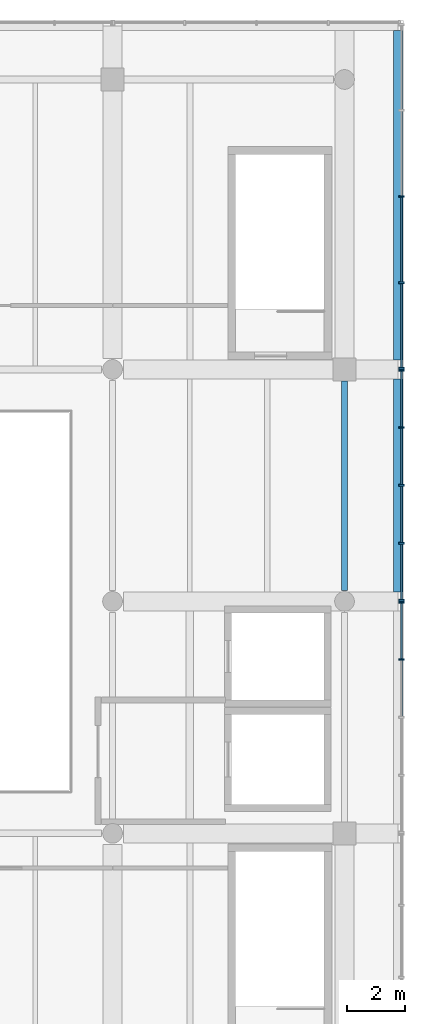
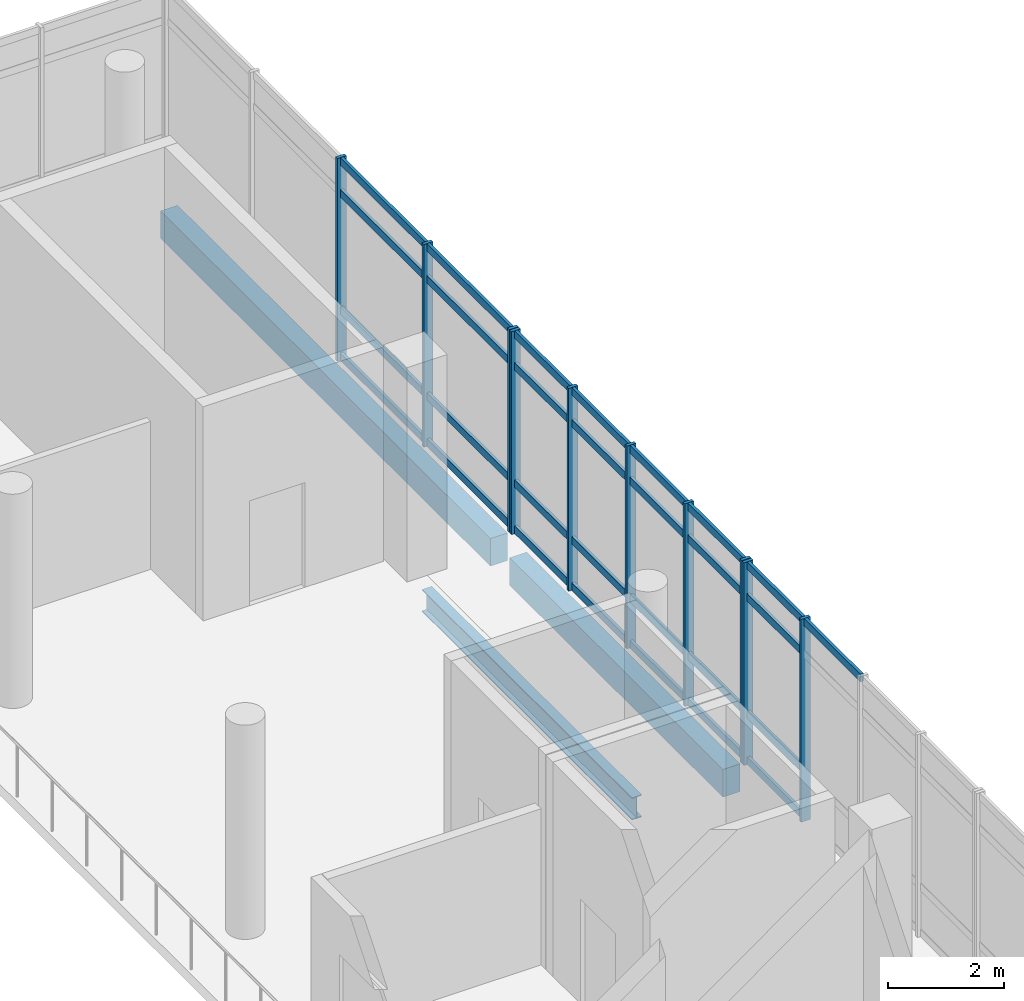
# One storey, part 7 of 15: 39 members, 3 beams, 3 elements without a shape of their own.
"""IFC4 building model written with IfcOpenShell, lengths in metres."""

import ifcopenshell
import ifcopenshell.guid

model = None  # the IFC model being written
_history = None  # IfcOwnerHistory: only IFC2X3 demands one
_inside = {}  # id of a spatial element -> (the spatial element, [elements in it])
_under = {}  # id of a project, library or spatial element -> (it, [spatial elements below it])
_declared = {}  # id of a project -> (the project, [libraries it declares])
_typed = {}  # id of a type object -> (the type object, [elements of that type])
_made_of = {}  # id of a material, layer set ... -> (it, [elements and type objects made of it])


def new_model(schema):
    """Start an empty IFC model of exactly this schema.

    Asked for "IFC4X3", IfcOpenShell would pick the latest addendum, in which some entities
    have other attributes; the version numbers below select the first issue.
    IFC2X3 requires an IfcOwnerHistory on every rooted entity: one is made here for all.
    """
    global model, _history
    if schema == "IFC4X3":
        model = ifcopenshell.file(schema_version=(4, 3, 0, 0))
    else:
        model = ifcopenshell.file(schema=schema)
    _inside.clear()
    _under.clear()
    _declared.clear()
    _typed.clear()
    _made_of.clear()
    _history = None
    if model.schema == "IFC2X3":
        org = make("IfcOrganization", Name="unknown")
        user = make(
            "IfcPersonAndOrganization",
            ThePerson=make("IfcPerson", FamilyName="unknown"),
            TheOrganization=org,
        )
        app = make(
            "IfcApplication",
            ApplicationDeveloper=org,
            Version="unknown",
            ApplicationFullName="unknown",
            ApplicationIdentifier="unknown",
        )
        _history = make(
            "IfcOwnerHistory",
            OwningUser=user,
            OwningApplication=app,
            ChangeAction="ADDED",
            CreationDate=0,
        )
    return model


def make(cls, **values):
    """One entity of the class cls with the attributes given. An attribute that is None is left unset."""
    return model.create_entity(
        cls, **{name: value for name, value in values.items() if value is not None}
    )


def rooted(cls, **values):
    """An entity with a GlobalId (a new one), such as an element, a storey or a relation."""
    return make(cls, GlobalId=ifcopenshell.guid.new(), OwnerHistory=_history, **values)


def si_unit(unit_type, name, prefix=None):
    """IfcSIUnit, for example si_unit("LENGTHUNIT", "METRE", prefix="MILLI")."""
    return make("IfcSIUnit", UnitType=unit_type, Prefix=prefix, Name=name)


def assignment(units):
    """IfcUnitAssignment: the units of a project."""
    return None if units is None else make("IfcUnitAssignment", Units=units)


def point(xyz):
    """IfcCartesianPoint."""
    return None if xyz is None else make("IfcCartesianPoint", Coordinates=xyz)


def direction(xyz):
    """IfcDirection."""
    return None if xyz is None else make("IfcDirection", DirectionRatios=xyz)


def frame(location, z_axis=None, x_axis=None):
    """IfcAxis2Placement3D, a coordinate frame: its origin and axes. An axis left out is left unset."""
    return make(
        "IfcAxis2Placement3D",
        Location=point(location),
        Axis=direction(z_axis),
        RefDirection=direction(x_axis),
    )


def frame_2d(location, x_axis=None):
    """IfcAxis2Placement2D, a coordinate frame in the plane: its origin and x axis."""
    return make(
        "IfcAxis2Placement2D", Location=point(location), RefDirection=direction(x_axis)
    )


def origin():
    """The frame at (0, 0, 0) with its axes left unset."""
    return frame((0.0, 0.0, 0.0))


def origin_2d():
    """The frame at (0, 0) in the plane with its x axis left unset."""
    return frame_2d((0.0, 0.0))


def place(relative_to, where):
    """IfcLocalPlacement: puts the frame where relative to a parent placement (None: the world)."""
    return make(
        "IfcLocalPlacement", PlacementRelTo=relative_to, RelativePlacement=where
    )


def context(
    kind, dimensions, precision=None, world=None, true_north=None, identifier=None
):
    """IfcGeometricRepresentationContext, for example the 3D "Model" context."""
    return make(
        "IfcGeometricRepresentationContext",
        ContextIdentifier=identifier,
        ContextType=kind,
        CoordinateSpaceDimension=dimensions,
        Precision=precision,
        WorldCoordinateSystem=world,
        TrueNorth=true_north,
    )


def subcontext(parent, identifier, kind, view, scale=None):
    """IfcGeometricRepresentationSubContext, for example "Body" below "Model"."""
    return make(
        "IfcGeometricRepresentationSubContext",
        ContextIdentifier=identifier,
        ContextType=kind,
        ParentContext=parent,
        TargetScale=scale,
        TargetView=view,
    )


def project(units=None, contexts=None):
    """IfcProject with its units and contexts."""
    return rooted(
        "IfcProject",
        Name="project",
        RepresentationContexts=contexts,
        UnitsInContext=assignment(units),
    )


def spatial(cls, under=None, at=None, **own):
    """A site, building, storey or space (cls), placed at a placement, below another one or the project."""
    s = rooted(cls, ObjectPlacement=at, **own)
    if under is not None:
        _under.setdefault(under.id(), (under, []))[1].append(s)
    return s


def profile(cls, at=None, kind="AREA", **sizes):
    """A parametric profile (cls). Its sizes go by their IFC names, for example OverallWidth=200.0."""
    return make(cls, ProfileType=kind, Position=at, **sizes)


def rectangle(**sizes):
    """IfcRectangleProfileDef."""
    return profile("IfcRectangleProfileDef", **sizes)


def i_section(**sizes):
    """IfcIShapeProfileDef."""
    return profile("IfcIShapeProfileDef", **sizes)


def extrude(swept, where, along, depth):
    """IfcExtrudedAreaSolid: the profile swept, set in the frame where, extruded along a direction by depth."""
    return make(
        "IfcExtrudedAreaSolid",
        SweptArea=swept,
        Position=where,
        ExtrudedDirection=direction(along),
        Depth=depth,
    )


def shape(context_of_items, identifier, shape_type, items):
    """IfcShapeRepresentation: the items that make up one representation, for example the "Body"."""
    return make(
        "IfcShapeRepresentation",
        ContextOfItems=context_of_items,
        RepresentationIdentifier=identifier,
        RepresentationType=shape_type,
        Items=items,
    )


def material(Name=None, Category=None):
    """IfcMaterial."""
    return make("IfcMaterial", Name=Name, Category=Category)


def material_profile(
    of_material, cross_section, Name=None, Category=None, Priority=None
):
    """IfcMaterialProfile: a cross section and its material."""
    return make(
        "IfcMaterialProfile",
        Name=Name,
        Material=of_material,
        Profile=cross_section,
        Priority=Priority,
        Category=Category,
    )


def profile_set(profiles, Name=None, composite=None):
    """IfcMaterialProfileSet."""
    return make(
        "IfcMaterialProfileSet",
        Name=Name,
        MaterialProfiles=profiles,
        CompositeProfile=composite,
    )


def made_of(thing, what):
    """Note that an element or type object is made of a material, layer set ...; save() writes the relation."""
    if what is not None:
        _made_of.setdefault(what.id(), (what, []))[1].append(thing)
    return thing


def type_object(cls, material=None, **own):
    """A type object (cls), such as IfcWallType, which elements share."""
    return made_of(rooted(cls, **own), material)


def element(
    cls,
    number,
    at=None,
    inside=None,
    cuts=None,
    type_object=None,
    material=None,
    context=None,
    identifier="Body",
    shape_type=None,
    held_by="IfcProductDefinitionShape",
    body=None,
    shapes=None,
    **own,
):
    """One element of the class cls, such as IfcWall. Its Tag is "e" and its number.

    at: its placement. inside: the storey or other place that contains it. cuts: it is an
    opening in that element (IfcRelVoidsElement). A single representation is given by context,
    identifier, shape_type and body (its items); several are given by shapes. held_by: the class
    of the entity that holds the representations. save() writes the other relations.
    """
    e = rooted(cls, Tag="e%d" % number, ObjectPlacement=at, **own)
    if body is not None:
        shapes = [shape(context, identifier, shape_type, body)]
    if shapes is not None:
        e.Representation = make(held_by, Representations=shapes)
    if inside is not None:
        _inside.setdefault(inside.id(), (inside, []))[1].append(e)
    if cuts is not None:
        rooted(
            "IfcRelVoidsElement", RelatingBuildingElement=cuts, RelatedOpeningElement=e
        )
    if type_object is not None:
        _typed.setdefault(type_object.id(), (type_object, []))[1].append(e)
    return made_of(e, material)


def aggregate(whole, parts):
    """IfcRelAggregates: a whole, such as a stair, and the parts it consists of."""
    return rooted("IfcRelAggregates", RelatingObject=whole, RelatedObjects=parts)


def save(model, path):
    """Write the relations noted so far, then the file.

    IfcRelAggregates (storeys below a building ...), IfcRelContainedInSpatialStructure (elements
    in a storey), IfcRelDefinesByType, IfcRelAssociatesMaterial and IfcRelDeclares: one each for
    every whole, place, type object, material and project.
    """
    for whole, parts in _under.values():
        aggregate(whole, parts)
    for where, things in _inside.values():
        rooted(
            "IfcRelContainedInSpatialStructure",
            RelatedElements=things,
            RelatingStructure=where,
        )
    for kind, things in _typed.values():
        rooted("IfcRelDefinesByType", RelatedObjects=things, RelatingType=kind)
    for what, things in _made_of.values():
        rooted("IfcRelAssociatesMaterial", RelatedObjects=things, RelatingMaterial=what)
    for by, libraries in _declared.values():
        rooted("IfcRelDeclares", RelatingContext=by, RelatedDefinitions=libraries)
    model.write(path)


model = new_model("IFC4")

# Units and contexts
model_context = context("Model", 3, precision=1e-05, world=origin(), true_north=direction((0.0, 1.0)))
body_context = subcontext(model_context, "Body", "Model", "MODEL_VIEW")
ifc_project = project(units=[si_unit("LENGTHUNIT", "METRE"), si_unit("AREAUNIT", "SQUARE_METRE"), si_unit("VOLUMEUNIT", "CUBIC_METRE"), si_unit("PLANEANGLEUNIT", "RADIAN"), si_unit("MASSUNIT", "GRAM", prefix="KILO")], contexts=[model_context])

# Site, building, storey
site_placement = place(None, origin())
site = spatial("IfcSite", under=ifc_project, at=site_placement, CompositionType="ELEMENT")
building_placement = place(site_placement, origin())
building = spatial("IfcBuilding", under=site, at=building_placement, Name="Pecanmere Concourse Central Library", CompositionType="ELEMENT")
storey_placement = place(building_placement, frame((0.0, 0.0, 30.300048828125)))
storey = spatial("IfcBuildingStorey", under=building, at=storey_placement, Name="L07", CompositionType="ELEMENT", Elevation=30.300048828125)

# Curtain wall, members
ifc_material_1 = material(Name="Anodized bronze aluminium alloy 6063-T6", Category="aluminium")
curtain_wall_type = type_object("IfcCurtainWallType", Name="CW_PLUMB_BANDED", PredefinedType="USERDEFINED", material=ifc_material_1)
curtain_wall_1_placement = place(storey_placement, origin())
curtain_wall_1 = element("IfcCurtainWall", 1, at=curtain_wall_1_placement, inside=storey, type_object=curtain_wall_type, Name="Unitised Curtain Wall CW-02 L07-094", ObjectType="UNITISED CURTAIN WALL", PredefinedType="USERDEFINED")
ifc_material_2 = material(Name="Anodized bronze aluminium alloy 6063-T6", Category="aluminium")
ifc_material_profile_1 = material_profile(ifc_material_2, rectangle(XDim=0.06494140625, YDim=0.179931640625, at=origin_2d()), Name="AL 65x180")
ifc_profile_set_1 = profile_set([ifc_material_profile_1], Name="Anodized bronze aluminium alloy 6063-T6")
member_type_1 = type_object("IfcMemberType", Name="CWM_180x65", PredefinedType="MULLION", material=ifc_profile_set_1)
member_1_placement = place(storey_placement, frame((105.96142578125, 103.99755859375, 0.0), z_axis=(0.0, 0.0, 1.0), x_axis=(0.0, 1.0, 0.0)))
member_1 = element("IfcMember", 2, at=member_1_placement, type_object=member_type_1, Name="CW-02 Mullion 4", PredefinedType="MULLION", context=body_context, shape_type="SweptSolid", body=[
    extrude(rectangle(XDim=0.06494140625, YDim=0.179931640625, at=origin_2d()), origin(), (0.0, 0.0, 1.0), 4.260009765625),
])
member_2_placement = place(storey_placement, frame((105.96142578125, 105.96240234375, 0.0), z_axis=(0.0, 0.0, 1.0), x_axis=(0.0, 1.0, 0.0)))
member_2 = element("IfcMember", 3, at=member_2_placement, type_object=member_type_1, Name="CW-02 Mullion 5", PredefinedType="MULLION", context=body_context, shape_type="SweptSolid", body=[
    extrude(rectangle(XDim=0.06494140625, YDim=0.179931640625, at=origin_2d()), origin(), (0.0, 0.0, 1.0), 4.260009765625),
])

curtain_wall_2_placement = place(storey_placement, origin())
curtain_wall_2 = element("IfcCurtainWall", 4, at=curtain_wall_2_placement, inside=storey, type_object=curtain_wall_type, Name="Unitised Curtain Wall CW-02 L07-095", ObjectType="UNITISED CURTAIN WALL", PredefinedType="USERDEFINED")
member_3_placement = place(storey_placement, frame((105.96142578125, 106.03759765625, 0.0), z_axis=(0.0, 0.0, 1.0), x_axis=(0.0, 1.0, 0.0)))
member_3 = element("IfcMember", 5, at=member_3_placement, type_object=member_type_1, Name="CW-02 Mullion 1", PredefinedType="MULLION", context=body_context, shape_type="SweptSolid", body=[
    extrude(rectangle(XDim=0.06494140625, YDim=0.179931640625, at=origin_2d()), origin(), (0.0, 0.0, 1.0), 4.260009765625),
])
member_4_placement = place(storey_placement, frame((105.96142578125, 108.00244140625, 0.0), z_axis=(0.0, 0.0, 1.0), x_axis=(0.0, 1.0, 0.0)))
member_4 = element("IfcMember", 6, at=member_4_placement, type_object=member_type_1, Name="CW-02 Mullion 2", PredefinedType="MULLION", context=body_context, shape_type="SweptSolid", body=[
    extrude(rectangle(XDim=0.06494140625, YDim=0.179931640625, at=origin_2d()), origin(), (0.0, 0.0, 1.0), 4.260009765625),
])
member_5_placement = place(storey_placement, frame((105.96142578125, 110.0, 0.0), z_axis=(0.0, 0.0, 1.0), x_axis=(0.0, 1.0, 0.0)))
member_5 = element("IfcMember", 7, at=member_5_placement, type_object=member_type_1, Name="CW-02 Mullion 3", PredefinedType="MULLION", context=body_context, shape_type="SweptSolid", body=[
    extrude(rectangle(XDim=0.06494140625, YDim=0.179931640625, at=origin_2d()), origin(), (0.0, 0.0, 1.0), 4.260009765625),
])
member_6_placement = place(storey_placement, frame((105.96142578125, 111.99755859375, 0.0), z_axis=(0.0, 0.0, 1.0), x_axis=(0.0, 1.0, 0.0)))
member_6 = element("IfcMember", 8, at=member_6_placement, type_object=member_type_1, Name="CW-02 Mullion 4", PredefinedType="MULLION", context=body_context, shape_type="SweptSolid", body=[
    extrude(rectangle(XDim=0.06494140625, YDim=0.179931640625, at=origin_2d()), origin(), (0.0, 0.0, 1.0), 4.260009765625),
])
member_7_placement = place(storey_placement, frame((105.96142578125, 113.96240234375, 0.0), z_axis=(0.0, 0.0, 1.0), x_axis=(0.0, 1.0, 0.0)))
member_7 = element("IfcMember", 9, at=member_7_placement, type_object=member_type_1, Name="CW-02 Mullion 5", PredefinedType="MULLION", context=body_context, shape_type="SweptSolid", body=[
    extrude(rectangle(XDim=0.06494140625, YDim=0.179931640625, at=origin_2d()), origin(), (0.0, 0.0, 1.0), 4.260009765625),
])

curtain_wall_3_placement = place(storey_placement, origin())
curtain_wall_3 = element("IfcCurtainWall", 10, at=curtain_wall_3_placement, inside=storey, type_object=curtain_wall_type, Name="Unitised Curtain Wall CW-02 L07-096", ObjectType="UNITISED CURTAIN WALL", PredefinedType="USERDEFINED")
member_8_placement = place(storey_placement, frame((105.96142578125, 114.03759765625, 0.0), z_axis=(0.0, 0.0, 1.0), x_axis=(0.0, 1.0, 0.0)))
member_8 = element("IfcMember", 11, at=member_8_placement, type_object=member_type_1, Name="CW-02 Mullion 1", PredefinedType="MULLION", context=body_context, shape_type="SweptSolid", body=[
    extrude(rectangle(XDim=0.06494140625, YDim=0.179931640625, at=origin_2d()), origin(), (0.0, 0.0, 1.0), 4.260009765625),
])
member_9_placement = place(storey_placement, frame((105.96142578125, 116.984130859375, 0.0), z_axis=(0.0, 0.0, 1.0), x_axis=(0.0, 1.0, 0.0)))
member_9 = element("IfcMember", 12, at=member_9_placement, type_object=member_type_1, Name="CW-02 Mullion 2", PredefinedType="MULLION", context=body_context, shape_type="SweptSolid", body=[
    extrude(rectangle(XDim=0.06494140625, YDim=0.179931640625, at=origin_2d()), origin(), (0.0, 0.0, 1.0), 4.260009765625),
])
member_10_placement = place(storey_placement, frame((105.96142578125, 119.963134765625, 0.0), z_axis=(0.0, 0.0, 1.0), x_axis=(0.0, 1.0, 0.0)))
member_10 = element("IfcMember", 13, at=member_10_placement, type_object=member_type_1, Name="CW-02 Mullion 3", PredefinedType="MULLION", context=body_context, shape_type="SweptSolid", body=[
    extrude(rectangle(XDim=0.06494140625, YDim=0.179931640625, at=origin_2d()), origin(), (0.0, 0.0, 1.0), 4.260009765625),
])

# Member
ifc_material_3 = material(Name="Anodized bronze aluminium alloy 6063-T6", Category="aluminium")
ifc_material_profile_2 = material_profile(ifc_material_3, rectangle(XDim=0.06005859375, YDim=0.159912109375, at=origin_2d()), Name="AL 60x160")
ifc_profile_set_2 = profile_set([ifc_material_profile_2], Name="Anodized bronze aluminium alloy 6063-T6")
member_type_2 = type_object("IfcMemberType", Name="CWT_160x60", PredefinedType="USERDEFINED", material=ifc_profile_set_2)
member_11_placement = place(storey_placement, frame((105.96142578125, 102.032470703125, 4.179931640625), z_axis=(0.0, 1.0, 0.0), x_axis=(-1.0, 0.0, 0.0)))
member_11 = element("IfcMember", 14, at=member_11_placement, type_object=member_type_2, Name="CW-02 Transom 3.4", ObjectType="TRANSOM", PredefinedType="USERDEFINED", context=body_context, shape_type="SweptSolid", body=[
    extrude(rectangle(XDim=0.06005859375, YDim=0.159912109375, at=origin_2d()), origin(), (0.0, 0.0, 1.0), 1.9326171875),
])

member_12_placement = place(storey_placement, frame((105.96142578125, 104.030029296875, 0.079833984375), z_axis=(0.0, 1.0, 0.0), x_axis=(-1.0, 0.0, 0.0)))
member_12 = element("IfcMember", 15, at=member_12_placement, type_object=member_type_2, Name="CW-02 Transom 4.1", ObjectType="TRANSOM", PredefinedType="USERDEFINED", context=body_context, shape_type="SweptSolid", body=[
    extrude(rectangle(XDim=0.06005859375, YDim=0.159912109375, at=origin_2d()), origin(), (0.0, 0.0, 1.0), 1.89990234375),
])

member_13_placement = place(storey_placement, frame((105.96142578125, 104.030029296875, 1.050048828125), z_axis=(0.0, 1.0, 0.0), x_axis=(-1.0, 0.0, 0.0)))
member_13 = element("IfcMember", 16, at=member_13_placement, type_object=member_type_2, Name="CW-02 Transom 4.2", ObjectType="TRANSOM", PredefinedType="USERDEFINED", context=body_context, shape_type="SweptSolid", body=[
    extrude(rectangle(XDim=0.06005859375, YDim=0.159912109375, at=origin_2d()), origin(), (0.0, 0.0, 1.0), 1.89990234375),
])

member_14_placement = place(storey_placement, frame((105.96142578125, 104.030029296875, 3.510009765625), z_axis=(0.0, 1.0, 0.0), x_axis=(-1.0, 0.0, 0.0)))
member_14 = element("IfcMember", 17, at=member_14_placement, type_object=member_type_2, Name="CW-02 Transom 4.3", ObjectType="TRANSOM", PredefinedType="USERDEFINED", context=body_context, shape_type="SweptSolid", body=[
    extrude(rectangle(XDim=0.06005859375, YDim=0.159912109375, at=origin_2d()), origin(), (0.0, 0.0, 1.0), 1.89990234375),
])

member_15_placement = place(storey_placement, frame((105.96142578125, 104.030029296875, 4.179931640625), z_axis=(0.0, 1.0, 0.0), x_axis=(-1.0, 0.0, 0.0)))
member_15 = element("IfcMember", 18, at=member_15_placement, type_object=member_type_2, Name="CW-02 Transom 4.4", ObjectType="TRANSOM", PredefinedType="USERDEFINED", context=body_context, shape_type="SweptSolid", body=[
    extrude(rectangle(XDim=0.06005859375, YDim=0.159912109375, at=origin_2d()), origin(), (0.0, 0.0, 1.0), 1.89990234375),
])

aggregate(curtain_wall_1, [member_1, member_2, member_11, member_12, member_13, member_14, member_15])

member_16_placement = place(storey_placement, frame((105.96142578125, 106.070068359375, 0.079833984375), z_axis=(0.0, 1.0, 0.0), x_axis=(-1.0, 0.0, 0.0)))
member_16 = element("IfcMember", 19, at=member_16_placement, type_object=member_type_2, Name="CW-02 Transom 1.1", ObjectType="TRANSOM", PredefinedType="USERDEFINED", context=body_context, shape_type="SweptSolid", body=[
    extrude(rectangle(XDim=0.06005859375, YDim=0.159912109375, at=origin_2d()), origin(), (0.0, 0.0, 1.0), 1.89990234375),
])

member_17_placement = place(storey_placement, frame((105.96142578125, 106.070068359375, 1.050048828125), z_axis=(0.0, 1.0, 0.0), x_axis=(-1.0, 0.0, 0.0)))
member_17 = element("IfcMember", 20, at=member_17_placement, type_object=member_type_2, Name="CW-02 Transom 1.2", ObjectType="TRANSOM", PredefinedType="USERDEFINED", context=body_context, shape_type="SweptSolid", body=[
    extrude(rectangle(XDim=0.06005859375, YDim=0.159912109375, at=origin_2d()), origin(), (0.0, 0.0, 1.0), 1.89990234375),
])

member_18_placement = place(storey_placement, frame((105.96142578125, 106.070068359375, 3.510009765625), z_axis=(0.0, 1.0, 0.0), x_axis=(-1.0, 0.0, 0.0)))
member_18 = element("IfcMember", 21, at=member_18_placement, type_object=member_type_2, Name="CW-02 Transom 1.3", ObjectType="TRANSOM", PredefinedType="USERDEFINED", context=body_context, shape_type="SweptSolid", body=[
    extrude(rectangle(XDim=0.06005859375, YDim=0.159912109375, at=origin_2d()), origin(), (0.0, 0.0, 1.0), 1.89990234375),
])

member_19_placement = place(storey_placement, frame((105.96142578125, 106.070068359375, 4.179931640625), z_axis=(0.0, 1.0, 0.0), x_axis=(-1.0, 0.0, 0.0)))
member_19 = element("IfcMember", 22, at=member_19_placement, type_object=member_type_2, Name="CW-02 Transom 1.4", ObjectType="TRANSOM", PredefinedType="USERDEFINED", context=body_context, shape_type="SweptSolid", body=[
    extrude(rectangle(XDim=0.06005859375, YDim=0.159912109375, at=origin_2d()), origin(), (0.0, 0.0, 1.0), 1.89990234375),
])

member_20_placement = place(storey_placement, frame((105.96142578125, 108.034912109375, 0.079833984375), z_axis=(0.0, 1.0, 0.0), x_axis=(-1.0, 0.0, 0.0)))
member_20 = element("IfcMember", 23, at=member_20_placement, type_object=member_type_2, Name="CW-02 Transom 2.1", ObjectType="TRANSOM", PredefinedType="USERDEFINED", context=body_context, shape_type="SweptSolid", body=[
    extrude(rectangle(XDim=0.06005859375, YDim=0.159912109375, at=origin_2d()), origin(), (0.0, 0.0, 1.0), 1.9326171875),
])

member_21_placement = place(storey_placement, frame((105.96142578125, 108.034912109375, 1.050048828125), z_axis=(0.0, 1.0, 0.0), x_axis=(-1.0, 0.0, 0.0)))
member_21 = element("IfcMember", 24, at=member_21_placement, type_object=member_type_2, Name="CW-02 Transom 2.2", ObjectType="TRANSOM", PredefinedType="USERDEFINED", context=body_context, shape_type="SweptSolid", body=[
    extrude(rectangle(XDim=0.06005859375, YDim=0.159912109375, at=origin_2d()), origin(), (0.0, 0.0, 1.0), 1.9326171875),
])

member_22_placement = place(storey_placement, frame((105.96142578125, 108.034912109375, 3.510009765625), z_axis=(0.0, 1.0, 0.0), x_axis=(-1.0, 0.0, 0.0)))
member_22 = element("IfcMember", 25, at=member_22_placement, type_object=member_type_2, Name="CW-02 Transom 2.3", ObjectType="TRANSOM", PredefinedType="USERDEFINED", context=body_context, shape_type="SweptSolid", body=[
    extrude(rectangle(XDim=0.06005859375, YDim=0.159912109375, at=origin_2d()), origin(), (0.0, 0.0, 1.0), 1.9326171875),
])

member_23_placement = place(storey_placement, frame((105.96142578125, 108.034912109375, 4.179931640625), z_axis=(0.0, 1.0, 0.0), x_axis=(-1.0, 0.0, 0.0)))
member_23 = element("IfcMember", 26, at=member_23_placement, type_object=member_type_2, Name="CW-02 Transom 2.4", ObjectType="TRANSOM", PredefinedType="USERDEFINED", context=body_context, shape_type="SweptSolid", body=[
    extrude(rectangle(XDim=0.06005859375, YDim=0.159912109375, at=origin_2d()), origin(), (0.0, 0.0, 1.0), 1.9326171875),
])

member_24_placement = place(storey_placement, frame((105.96142578125, 110.032470703125, 0.079833984375), z_axis=(0.0, 1.0, 0.0), x_axis=(-1.0, 0.0, 0.0)))
member_24 = element("IfcMember", 27, at=member_24_placement, type_object=member_type_2, Name="CW-02 Transom 3.1", ObjectType="TRANSOM", PredefinedType="USERDEFINED", context=body_context, shape_type="SweptSolid", body=[
    extrude(rectangle(XDim=0.06005859375, YDim=0.159912109375, at=origin_2d()), origin(), (0.0, 0.0, 1.0), 1.9326171875),
])

member_25_placement = place(storey_placement, frame((105.96142578125, 110.032470703125, 1.050048828125), z_axis=(0.0, 1.0, 0.0), x_axis=(-1.0, 0.0, 0.0)))
member_25 = element("IfcMember", 28, at=member_25_placement, type_object=member_type_2, Name="CW-02 Transom 3.2", ObjectType="TRANSOM", PredefinedType="USERDEFINED", context=body_context, shape_type="SweptSolid", body=[
    extrude(rectangle(XDim=0.06005859375, YDim=0.159912109375, at=origin_2d()), origin(), (0.0, 0.0, 1.0), 1.9326171875),
])

member_26_placement = place(storey_placement, frame((105.96142578125, 110.032470703125, 3.510009765625), z_axis=(0.0, 1.0, 0.0), x_axis=(-1.0, 0.0, 0.0)))
member_26 = element("IfcMember", 29, at=member_26_placement, type_object=member_type_2, Name="CW-02 Transom 3.3", ObjectType="TRANSOM", PredefinedType="USERDEFINED", context=body_context, shape_type="SweptSolid", body=[
    extrude(rectangle(XDim=0.06005859375, YDim=0.159912109375, at=origin_2d()), origin(), (0.0, 0.0, 1.0), 1.9326171875),
])

member_27_placement = place(storey_placement, frame((105.96142578125, 110.032470703125, 4.179931640625), z_axis=(0.0, 1.0, 0.0), x_axis=(-1.0, 0.0, 0.0)))
member_27 = element("IfcMember", 30, at=member_27_placement, type_object=member_type_2, Name="CW-02 Transom 3.4", ObjectType="TRANSOM", PredefinedType="USERDEFINED", context=body_context, shape_type="SweptSolid", body=[
    extrude(rectangle(XDim=0.06005859375, YDim=0.159912109375, at=origin_2d()), origin(), (0.0, 0.0, 1.0), 1.9326171875),
])

member_28_placement = place(storey_placement, frame((105.96142578125, 112.030029296875, 0.079833984375), z_axis=(0.0, 1.0, 0.0), x_axis=(-1.0, 0.0, 0.0)))
member_28 = element("IfcMember", 31, at=member_28_placement, type_object=member_type_2, Name="CW-02 Transom 4.1", ObjectType="TRANSOM", PredefinedType="USERDEFINED", context=body_context, shape_type="SweptSolid", body=[
    extrude(rectangle(XDim=0.06005859375, YDim=0.159912109375, at=origin_2d()), origin(), (0.0, 0.0, 1.0), 1.89990234375),
])

member_29_placement = place(storey_placement, frame((105.96142578125, 112.030029296875, 1.050048828125), z_axis=(0.0, 1.0, 0.0), x_axis=(-1.0, 0.0, 0.0)))
member_29 = element("IfcMember", 32, at=member_29_placement, type_object=member_type_2, Name="CW-02 Transom 4.2", ObjectType="TRANSOM", PredefinedType="USERDEFINED", context=body_context, shape_type="SweptSolid", body=[
    extrude(rectangle(XDim=0.06005859375, YDim=0.159912109375, at=origin_2d()), origin(), (0.0, 0.0, 1.0), 1.89990234375),
])

member_30_placement = place(storey_placement, frame((105.96142578125, 112.030029296875, 3.510009765625), z_axis=(0.0, 1.0, 0.0), x_axis=(-1.0, 0.0, 0.0)))
member_30 = element("IfcMember", 33, at=member_30_placement, type_object=member_type_2, Name="CW-02 Transom 4.3", ObjectType="TRANSOM", PredefinedType="USERDEFINED", context=body_context, shape_type="SweptSolid", body=[
    extrude(rectangle(XDim=0.06005859375, YDim=0.159912109375, at=origin_2d()), origin(), (0.0, 0.0, 1.0), 1.89990234375),
])

member_31_placement = place(storey_placement, frame((105.96142578125, 112.030029296875, 4.179931640625), z_axis=(0.0, 1.0, 0.0), x_axis=(-1.0, 0.0, 0.0)))
member_31 = element("IfcMember", 34, at=member_31_placement, type_object=member_type_2, Name="CW-02 Transom 4.4", ObjectType="TRANSOM", PredefinedType="USERDEFINED", context=body_context, shape_type="SweptSolid", body=[
    extrude(rectangle(XDim=0.06005859375, YDim=0.159912109375, at=origin_2d()), origin(), (0.0, 0.0, 1.0), 1.89990234375),
])

aggregate(curtain_wall_2, [member_3, member_4, member_5, member_6, member_7, member_16, member_17, member_18, member_19, member_20, member_21, member_22, member_23, member_24, member_25, member_26, member_27, member_28, member_29, member_30, member_31])

member_32_placement = place(storey_placement, frame((105.96142578125, 114.070068359375, 0.079833984375), z_axis=(0.0, 1.0, 0.0), x_axis=(-1.0, 0.0, 0.0)))
member_32 = element("IfcMember", 35, at=member_32_placement, type_object=member_type_2, Name="CW-02 Transom 1.1", ObjectType="TRANSOM", PredefinedType="USERDEFINED", context=body_context, shape_type="SweptSolid", body=[
    extrude(rectangle(XDim=0.06005859375, YDim=0.159912109375, at=origin_2d()), origin(), (0.0, 0.0, 1.0), 2.881591796875),
])

member_33_placement = place(storey_placement, frame((105.96142578125, 114.070068359375, 1.050048828125), z_axis=(0.0, 1.0, 0.0), x_axis=(-1.0, 0.0, 0.0)))
member_33 = element("IfcMember", 36, at=member_33_placement, type_object=member_type_2, Name="CW-02 Transom 1.2", ObjectType="TRANSOM", PredefinedType="USERDEFINED", context=body_context, shape_type="SweptSolid", body=[
    extrude(rectangle(XDim=0.06005859375, YDim=0.159912109375, at=origin_2d()), origin(), (0.0, 0.0, 1.0), 2.881591796875),
])

member_34_placement = place(storey_placement, frame((105.96142578125, 114.070068359375, 3.510009765625), z_axis=(0.0, 1.0, 0.0), x_axis=(-1.0, 0.0, 0.0)))
member_34 = element("IfcMember", 37, at=member_34_placement, type_object=member_type_2, Name="CW-02 Transom 1.3", ObjectType="TRANSOM", PredefinedType="USERDEFINED", context=body_context, shape_type="SweptSolid", body=[
    extrude(rectangle(XDim=0.06005859375, YDim=0.159912109375, at=origin_2d()), origin(), (0.0, 0.0, 1.0), 2.881591796875),
])

member_35_placement = place(storey_placement, frame((105.96142578125, 114.070068359375, 4.179931640625), z_axis=(0.0, 1.0, 0.0), x_axis=(-1.0, 0.0, 0.0)))
member_35 = element("IfcMember", 38, at=member_35_placement, type_object=member_type_2, Name="CW-02 Transom 1.4", ObjectType="TRANSOM", PredefinedType="USERDEFINED", context=body_context, shape_type="SweptSolid", body=[
    extrude(rectangle(XDim=0.06005859375, YDim=0.159912109375, at=origin_2d()), origin(), (0.0, 0.0, 1.0), 2.881591796875),
])

member_36_placement = place(storey_placement, frame((105.96142578125, 117.0166015625, 0.079833984375), z_axis=(0.0, 1.0, 0.0), x_axis=(-1.0, 0.0, 0.0)))
member_36 = element("IfcMember", 39, at=member_36_placement, type_object=member_type_2, Name="CW-02 Transom 2.1", ObjectType="TRANSOM", PredefinedType="USERDEFINED", context=body_context, shape_type="SweptSolid", body=[
    extrude(rectangle(XDim=0.06005859375, YDim=0.159912109375, at=origin_2d()), origin(), (0.0, 0.0, 1.0), 2.9140625),
])

member_37_placement = place(storey_placement, frame((105.96142578125, 117.0166015625, 1.050048828125), z_axis=(0.0, 1.0, 0.0), x_axis=(-1.0, 0.0, 0.0)))
member_37 = element("IfcMember", 40, at=member_37_placement, type_object=member_type_2, Name="CW-02 Transom 2.2", ObjectType="TRANSOM", PredefinedType="USERDEFINED", context=body_context, shape_type="SweptSolid", body=[
    extrude(rectangle(XDim=0.06005859375, YDim=0.159912109375, at=origin_2d()), origin(), (0.0, 0.0, 1.0), 2.9140625),
])

member_38_placement = place(storey_placement, frame((105.96142578125, 117.0166015625, 3.510009765625), z_axis=(0.0, 1.0, 0.0), x_axis=(-1.0, 0.0, 0.0)))
member_38 = element("IfcMember", 41, at=member_38_placement, type_object=member_type_2, Name="CW-02 Transom 2.3", ObjectType="TRANSOM", PredefinedType="USERDEFINED", context=body_context, shape_type="SweptSolid", body=[
    extrude(rectangle(XDim=0.06005859375, YDim=0.159912109375, at=origin_2d()), origin(), (0.0, 0.0, 1.0), 2.9140625),
])

member_39_placement = place(storey_placement, frame((105.96142578125, 117.0166015625, 4.179931640625), z_axis=(0.0, 1.0, 0.0), x_axis=(-1.0, 0.0, 0.0)))
member_39 = element("IfcMember", 42, at=member_39_placement, type_object=member_type_2, Name="CW-02 Transom 2.4", ObjectType="TRANSOM", PredefinedType="USERDEFINED", context=body_context, shape_type="SweptSolid", body=[
    extrude(rectangle(XDim=0.06005859375, YDim=0.159912109375, at=origin_2d()), origin(), (0.0, 0.0, 1.0), 2.9140625),
])

aggregate(curtain_wall_3, [member_8, member_9, member_10, member_32, member_33, member_34, member_35, member_36, member_37, member_38, member_39])

# Beams
ifc_material_4 = material(Name="Structural steel ASTM A992 Grade 50", Category="steel")
ifc_material_profile_3 = material_profile(ifc_material_4, i_section(OverallWidth=0.194091796875, OverallDepth=0.468994140625, WebThickness=0.0126953125, FlangeThickness=0.0205078125, at=origin_2d()), Name="W460x106")
ifc_profile_set_3 = profile_set([ifc_material_profile_3], Name="Structural steel ASTM A992 Grade 50")
beam_type_1 = type_object("IfcBeamType", Name="SBM_W460x106", PredefinedType="USERDEFINED", material=ifc_profile_set_3)
beam_1_placement = place(storey_placement, frame((104.0, 106.3798828125, -0.49462890625), z_axis=(0.0, 1.0, 0.0), x_axis=(-1.0, 0.0, 0.0)))
element("IfcBeam", 43, at=beam_1_placement, inside=storey, type_object=beam_type_1, Name="Primary Girder Y L07-2820", ObjectType="GIRDER", PredefinedType="USERDEFINED", context=body_context, shape_type="SweptSolid", body=[
    extrude(i_section(OverallWidth=0.194091796875, OverallDepth=0.468994140625, WebThickness=0.0126953125, FlangeThickness=0.0205078125, at=origin_2d()), origin(), (0.0, 0.0, 1.0), 7.22021484375),
])
ifc_material_5 = material(Name="Concrete C40/50", Category="concrete")
ifc_material_profile_4 = material_profile(ifc_material_5, rectangle(XDim=0.340087890625, YDim=0.580078125, at=origin_2d()), Name="RC 340x580")
ifc_profile_set_4 = profile_set([ifc_material_profile_4], Name="Concrete C40/50")
beam_type_2 = type_object("IfcBeamType", Name="SPB_340x580", PredefinedType="BEAM", material=ifc_profile_set_4)
beam_2_placement = place(storey_placement, frame((105.8515625, 106.330078125, -0.550048828125), z_axis=(0.0, 1.0, 0.0), x_axis=(-1.0, 0.0, 0.0)))
element("IfcBeam", 44, at=beam_2_placement, inside=storey, type_object=beam_type_2, Name="Leaning Facade Edge Beam L07-2836", PredefinedType="BEAM", context=body_context, shape_type="SweptSolid", body=[
    extrude(rectangle(XDim=0.340087890625, YDim=0.580078125, at=origin_2d()), origin(), (0.0, 0.0, 1.0), 7.33984375),
])
beam_3_placement = place(storey_placement, frame((105.8515625, 114.330078125, -0.550048828125), z_axis=(0.0, 1.0, 0.0), x_axis=(-1.0, 0.0, 0.0)))
element("IfcBeam", 45, at=beam_3_placement, inside=storey, type_object=beam_type_2, Name="Leaning Facade Edge Beam L07-2837", PredefinedType="BEAM", context=body_context, shape_type="SweptSolid", body=[
    extrude(rectangle(XDim=0.340087890625, YDim=0.580078125, at=origin_2d()), origin(), (0.0, 0.0, 1.0), 11.351318359375),
])

save(model, "model.ifc")
